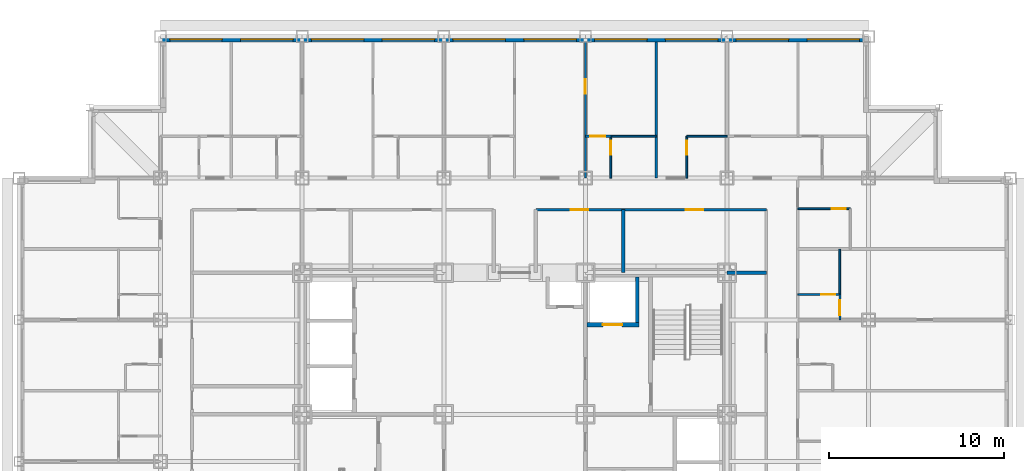
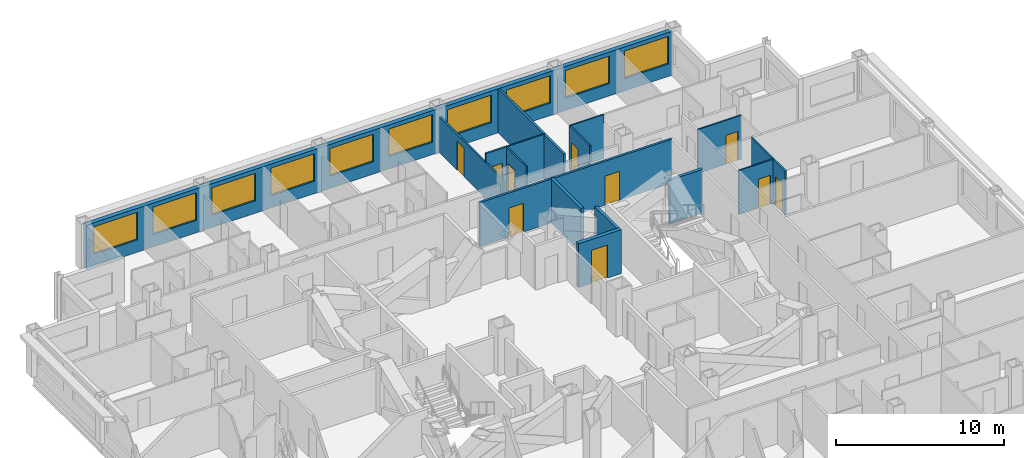
# One storey, part 11 of 14: 17 walls, 10 doors, 10 windows, 20 openings.
"""IFC4 building model written with IfcOpenShell, lengths in metres."""

from ifc_helpers import new_model, si_unit, direction, frame, frame_2d, origin, place, context, subcontext, project, spatial, rectangle, extrude, material, layer, layer_set, type_object, element, fill, save


model = new_model("IFC4")

# Units and contexts
model_context = context("Model", 3, precision=1e-05, world=origin(), true_north=direction((0.0, 1.0)))
body_context = subcontext(model_context, "Body", "Model", "MODEL_VIEW")
ifc_project = project(units=[si_unit("LENGTHUNIT", "METRE"), si_unit("AREAUNIT", "SQUARE_METRE"), si_unit("VOLUMEUNIT", "CUBIC_METRE"), si_unit("PLANEANGLEUNIT", "RADIAN"), si_unit("MASSUNIT", "GRAM", prefix="KILO")], contexts=[model_context])

# Site, building, storey
site_placement = place(None, origin())
site = spatial("IfcSite", under=ifc_project, at=site_placement, CompositionType="ELEMENT")
building_placement = place(site_placement, origin())
building = spatial("IfcBuilding", under=site, at=building_placement, Name="Kopane Lantern Tower", CompositionType="ELEMENT")
storey_placement = place(building_placement, frame((0.0, 0.0, 137.39990234375)))
storey = spatial("IfcBuildingStorey", under=building, at=storey_placement, Name="L35", CompositionType="ELEMENT", Elevation=137.39990234375)

# Wall, opening, door
ifc_material_1 = material(Name="Gypsum board on steel studs", Category="steel")
ifc_layer_1 = layer(ifc_material_1, 0.1201171875)
ifc_layer_set_1 = layer_set([ifc_layer_1], Name="APARTMENT INTERNAL WALL 120")
wall_type_1 = type_object("IfcWallType", Name="APARTMENT INTERNAL WALL 120", PredefinedType="PARTITIONING", material=ifc_layer_set_1)
wall_1_placement = place(storey_placement, frame((32.39990234375, 45.89990234375, 0.0), z_axis=(0.0, 0.0, 1.0), x_axis=(0.0, 1.0, 0.0)))
wall_1 = element("IfcWall", 1, at=wall_1_placement, inside=storey, type_object=wall_type_1, Name="Apartment Internal Wall 120 L35", PredefinedType="PARTITIONING", context=body_context, shape_type="SweptSolid", body=[
    extrude(rectangle(XDim=7.800048828125, YDim=0.1201171875, at=frame_2d((3.89990234375, 0.0))), origin(), (0.0, 0.0, 1.0), 2.577880859375),
])
opening_1_placement = place(wall_1_placement, frame((4.824951171875, 0.0, 0.0)))
opening_1 = element("IfcOpeningElement", 2, at=opening_1_placement, cuts=wall_1, Name="Opening L35-040", PredefinedType="OPENING", context=body_context, shape_type="SweptSolid", body=[
    extrude(rectangle(XDim=0.85009765625, YDim=2.10009765625, at=frame_2d((0.425048828125, 1.050048828125))), frame((0.0, 0.070068359375, 0.0), z_axis=(0.0, -1.0, 0.0), x_axis=(1.0, 0.0, 0.0)), (0.0, 0.0, 1.0), 0.14013671875),
])
ifc_material_2 = material(Name="Timber door set", Category="wood")
door_type_1 = type_object("IfcDoorType", Name="DOOR D4 850x2100", OperationType="SINGLE_SWING_LEFT", PredefinedType="DOOR", material=ifc_material_2)
door_1_placement = place(opening_1_placement, origin())
door_1 = element("IfcDoor", 3, at=door_1_placement, inside=storey, type_object=door_type_1, Name="Door L35-040", OperationType="SINGLE_SWING_RIGHT", OverallHeight=2.10009765625, OverallWidth=0.85009765625, PredefinedType="DOOR", context=body_context, shape_type="SweptSolid", body=[
    extrude(rectangle(XDim=0.85009765625, YDim=2.10009765625, at=frame_2d((0.425048828125, 1.050048828125))), frame((0.0, 0.02490234375, 0.0), z_axis=(0.0, -1.0, 0.0), x_axis=(1.0, 0.0, 0.0)), (0.0, 0.0, 1.0), 0.050048828125),
])
fill(opening_1, door_1)

wall_2_placement = place(storey_placement, frame((32.39990234375, 48.300048828125, 0.0), z_axis=(0.0, 0.0, 1.0), x_axis=(1.0, 0.0, 0.0)))
wall_2 = element("IfcWall", 4, at=wall_2_placement, inside=storey, type_object=wall_type_1, Name="Apartment Internal Wall 120 L35", PredefinedType="PARTITIONING", context=body_context, shape_type="SweptSolid", body=[
    extrude(rectangle(XDim=1.460205078125, YDim=0.1201171875, at=frame_2d((0.72998046875, 0.0))), origin(), (0.0, 0.0, 1.0), 3.190185546875),
])
opening_2_placement = place(wall_2_placement, frame((0.27490234375, 0.0, 0.0)))
opening_2 = element("IfcOpeningElement", 5, at=opening_2_placement, cuts=wall_2, Name="Opening L35-093", PredefinedType="OPENING", context=body_context, shape_type="SweptSolid", body=[
    extrude(rectangle(XDim=0.85009765625, YDim=2.10009765625, at=frame_2d((0.425048828125, 1.050048828125))), frame((0.0, 0.070068359375, 0.0), z_axis=(0.0, -1.0, 0.0), x_axis=(1.0, 0.0, 0.0)), (0.0, 0.0, 1.0), 0.14013671875),
])
door_2_placement = place(opening_2_placement, origin())
door_2 = element("IfcDoor", 6, at=door_2_placement, inside=storey, type_object=door_type_1, Name="Door L35-093", OperationType="SINGLE_SWING_LEFT", OverallHeight=2.10009765625, OverallWidth=0.85009765625, PredefinedType="DOOR", context=body_context, shape_type="SweptSolid", body=[
    extrude(rectangle(XDim=0.85009765625, YDim=2.10009765625, at=frame_2d((0.425048828125, 1.050048828125))), frame((0.0, 0.02490234375, 0.0), z_axis=(0.0, -1.0, 0.0), x_axis=(1.0, 0.0, 0.0)), (0.0, 0.0, 1.0), 0.050048828125),
])
fill(opening_2, door_2)

wall_3_placement = place(storey_placement, frame((46.949951171875, 39.260009765625, 0.0), z_axis=(0.0, 0.0, 1.0), x_axis=(0.0, -1.0, 0.0)))
wall_3 = element("IfcWall", 7, at=wall_3_placement, inside=storey, type_object=wall_type_1, Name="Apartment Internal Wall 120 L35", PredefinedType="PARTITIONING", context=body_context, shape_type="SweptSolid", body=[
    extrude(rectangle(XDim=1.4599609375, YDim=0.1201171875, at=frame_2d((0.72998046875, 0.0))), origin(), (0.0, 0.0, 1.0), 3.190185546875),
])
opening_3_placement = place(wall_3_placement, frame((0.3349609375, 0.0, 0.0)))
opening_3 = element("IfcOpeningElement", 8, at=opening_3_placement, cuts=wall_3, Name="Opening L35-097", PredefinedType="OPENING", context=body_context, shape_type="SweptSolid", body=[
    extrude(rectangle(XDim=0.85009765625, YDim=2.10009765625, at=frame_2d((0.425048828125, 1.050048828125))), frame((0.0, 0.070068359375, 0.0), z_axis=(0.0, -1.0, 0.0), x_axis=(1.0, 0.0, 0.0)), (0.0, 0.0, 1.0), 0.14013671875),
])
door_3_placement = place(opening_3_placement, origin())
door_3 = element("IfcDoor", 9, at=door_3_placement, inside=storey, type_object=door_type_1, Name="Door L35-097", OperationType="SINGLE_SWING_RIGHT", OverallHeight=2.10009765625, OverallWidth=0.85009765625, PredefinedType="DOOR", context=body_context, shape_type="SweptSolid", body=[
    extrude(rectangle(XDim=0.85009765625, YDim=2.10009765625, at=frame_2d((0.425048828125, 1.050048828125))), frame((0.0, 0.02490234375, 0.0), z_axis=(0.0, -1.0, 0.0), x_axis=(1.0, 0.0, 0.0)), (0.0, 0.0, 1.0), 0.050048828125),
])
fill(opening_3, door_3)

# Wall
ifc_material_3 = material(Name="Moisture-resistant board on steel studs", Category="steel")
ifc_layer_2 = layer(ifc_material_3, 0.10009765625)
ifc_layer_set_2 = layer_set([ifc_layer_2], Name="BATHROOM WALL 100")
wall_type_2 = type_object("IfcWallType", Name="BATHROOM WALL 100", PredefinedType="PARTITIONING", material=ifc_layer_set_2)
wall_4_placement = place(storey_placement, frame((33.85009765625, 48.300048828125, 0.0), z_axis=(0.0, 0.0, 1.0), x_axis=(1.0, 0.0, 0.0)))
element("IfcWall", 10, at=wall_4_placement, inside=storey, type_object=wall_type_2, Name="Bathroom Wall 100 L35", PredefinedType="PARTITIONING", context=body_context, shape_type="SweptSolid", body=[
    extrude(rectangle(XDim=2.599853515625, YDim=0.10009765625, at=frame_2d((1.2998046875, 0.0))), origin(), (0.0, 0.0, 1.0), 3.190185546875),
])

# Wall, opening, door
wall_5_placement = place(storey_placement, frame((33.85009765625, 45.89990234375, 0.0), z_axis=(0.0, 0.0, 1.0), x_axis=(0.0, 1.0, 0.0)))
wall_5 = element("IfcWall", 11, at=wall_5_placement, inside=storey, type_object=wall_type_2, Name="Bathroom Wall 100 L35", PredefinedType="PARTITIONING", context=body_context, shape_type="SweptSolid", body=[
    extrude(rectangle(XDim=2.400146484375, YDim=0.10009765625, at=frame_2d((1.2001953125, 0.0))), origin(), (0.0, 0.0, 1.0), 3.190185546875),
])
opening_4_placement = place(wall_5_placement, frame((1.35009765625, 0.0, 0.0)))
opening_4 = element("IfcOpeningElement", 12, at=opening_4_placement, cuts=wall_5, Name="Opening L35-039", PredefinedType="OPENING", context=body_context, shape_type="SweptSolid", body=[
    extrude(rectangle(XDim=0.800048828125, YDim=2.10009765625, at=frame_2d((0.39990234375, 1.050048828125))), frame((0.0, 0.06005859375, 0.0), z_axis=(0.0, -1.0, 0.0), x_axis=(1.0, 0.0, 0.0)), (0.0, 0.0, 1.0), 0.1201171875),
])
ifc_material_4 = material(Name="Timber door set", Category="wood")
door_type_2 = type_object("IfcDoorType", Name="DOOR D2 800x2100", OperationType="SINGLE_SWING_LEFT", PredefinedType="DOOR", material=ifc_material_4)
door_4_placement = place(opening_4_placement, origin())
door_4 = element("IfcDoor", 13, at=door_4_placement, inside=storey, type_object=door_type_2, Name="Door L35-039", OperationType="SINGLE_SWING_RIGHT", OverallHeight=2.10009765625, OverallWidth=0.800048828125, PredefinedType="DOOR", context=body_context, shape_type="SweptSolid", body=[
    extrude(rectangle(XDim=0.800048828125, YDim=2.10009765625, at=frame_2d((0.39990234375, 1.050048828125))), frame((0.0, 0.02490234375, 0.0), z_axis=(0.0, -1.0, 0.0), x_axis=(1.0, 0.0, 0.0)), (0.0, 0.0, 1.0), 0.050048828125),
])
fill(opening_4, door_4)

# Wall
wall_6_placement = place(storey_placement, frame((38.199951171875, 48.300048828125, 0.0), z_axis=(0.0, 0.0, 1.0), x_axis=(1.0, 0.0, 0.0)))
element("IfcWall", 14, at=wall_6_placement, inside=storey, type_object=wall_type_2, Name="Bathroom Wall 100 L35", PredefinedType="PARTITIONING", context=body_context, shape_type="SweptSolid", body=[
    extrude(rectangle(XDim=2.300048828125, YDim=0.10009765625, at=frame_2d((1.14990234375, 0.0))), origin(), (0.0, 0.0, 1.0), 3.190185546875),
])

# Wall, opening, door
wall_7_placement = place(storey_placement, frame((38.199951171875, 45.89990234375, 0.0), z_axis=(0.0, 0.0, 1.0), x_axis=(0.0, 1.0, 0.0)))
wall_7 = element("IfcWall", 15, at=wall_7_placement, inside=storey, type_object=wall_type_2, Name="Bathroom Wall 100 L35", PredefinedType="PARTITIONING", context=body_context, shape_type="SweptSolid", body=[
    extrude(rectangle(XDim=2.400146484375, YDim=0.10009765625, at=frame_2d((1.2001953125, 0.0))), origin(), (0.0, 0.0, 1.0), 3.190185546875),
])
opening_5_placement = place(wall_7_placement, frame((1.35009765625, 0.0, 0.0)))
opening_5 = element("IfcOpeningElement", 16, at=opening_5_placement, cuts=wall_7, Name="Opening L35-041", PredefinedType="OPENING", context=body_context, shape_type="SweptSolid", body=[
    extrude(rectangle(XDim=0.800048828125, YDim=2.10009765625, at=frame_2d((0.39990234375, 1.050048828125))), frame((0.0, 0.06005859375, 0.0), z_axis=(0.0, -1.0, 0.0), x_axis=(1.0, 0.0, 0.0)), (0.0, 0.0, 1.0), 0.1201171875),
])
door_5_placement = place(opening_5_placement, origin())
door_5 = element("IfcDoor", 17, at=door_5_placement, inside=storey, type_object=door_type_2, Name="Door L35-041", OperationType="SINGLE_SWING_LEFT", OverallHeight=2.10009765625, OverallWidth=0.800048828125, PredefinedType="DOOR", context=body_context, shape_type="SweptSolid", body=[
    extrude(rectangle(XDim=0.800048828125, YDim=2.10009765625, at=frame_2d((0.39990234375, 1.050048828125))), frame((0.0, 0.02490234375, 0.0), z_axis=(0.0, -1.0, 0.0), x_axis=(1.0, 0.0, 0.0)), (0.0, 0.0, 1.0), 0.050048828125),
])
fill(opening_5, door_5)

# Wall
wall_8_placement = place(storey_placement, frame((46.949951171875, 39.25, 0.0), z_axis=(0.0, 0.0, 1.0), x_axis=(0.0, 1.0, 0.0)))
element("IfcWall", 18, at=wall_8_placement, inside=storey, type_object=wall_type_2, Name="Bathroom Wall 100 L35", PredefinedType="PARTITIONING", context=body_context, shape_type="SweptSolid", body=[
    extrude(rectangle(XDim=2.60009765625, YDim=0.10009765625, at=frame_2d((1.300048828125, 0.0))), origin(), (0.0, 0.0, 1.0), 3.190185546875),
])

# Wall, opening, door
wall_9_placement = place(storey_placement, frame((44.550048828125, 39.25, 0.0), z_axis=(0.0, 0.0, 1.0), x_axis=(1.0, 0.0, 0.0)))
wall_9 = element("IfcWall", 19, at=wall_9_placement, inside=storey, type_object=wall_type_2, Name="Bathroom Wall 100 L35", PredefinedType="PARTITIONING", context=body_context, shape_type="SweptSolid", body=[
    extrude(rectangle(XDim=2.39990234375, YDim=0.10009765625, at=frame_2d((1.199951171875, 0.0))), origin(), (0.0, 0.0, 1.0), 3.190185546875),
])
opening_6_placement = place(wall_9_placement, frame((1.35009765625, 0.0, 0.0)))
opening_6 = element("IfcOpeningElement", 20, at=opening_6_placement, cuts=wall_9, Name="Opening L35-066", PredefinedType="OPENING", context=body_context, shape_type="SweptSolid", body=[
    extrude(rectangle(XDim=0.800048828125, YDim=2.10009765625, at=frame_2d((0.39990234375, 1.050048828125))), frame((0.0, 0.06005859375, 0.0), z_axis=(0.0, -1.0, 0.0), x_axis=(1.0, 0.0, 0.0)), (0.0, 0.0, 1.0), 0.1201171875),
])
door_6_placement = place(opening_6_placement, origin())
door_6 = element("IfcDoor", 21, at=door_6_placement, inside=storey, type_object=door_type_2, Name="Door L35-066", OperationType="SINGLE_SWING_LEFT", OverallHeight=2.10009765625, OverallWidth=0.800048828125, PredefinedType="DOOR", context=body_context, shape_type="SweptSolid", body=[
    extrude(rectangle(XDim=0.800048828125, YDim=2.10009765625, at=frame_2d((0.39990234375, 1.050048828125))), frame((0.0, 0.02490234375, 0.0), z_axis=(0.0, -1.0, 0.0), x_axis=(1.0, 0.0, 0.0)), (0.0, 0.0, 1.0), 0.050048828125),
])
fill(opening_6, door_6)

wall_10_placement = place(storey_placement, frame((44.550048828125, 44.14990234375, 0.0), z_axis=(0.0, 0.0, 1.0), x_axis=(1.0, 0.0, 0.0)))
wall_10 = element("IfcWall", 22, at=wall_10_placement, inside=storey, type_object=wall_type_2, Name="Bathroom Wall 100 L35", PredefinedType="PARTITIONING", context=body_context, shape_type="SweptSolid", body=[
    extrude(rectangle(XDim=3.0, YDim=0.10009765625, at=frame_2d((1.5, 0.0))), origin(), (0.0, 0.0, 1.0), 3.190185546875),
])
opening_7_placement = place(wall_10_placement, frame((1.949951171875, 0.0, 0.0)))
opening_7 = element("IfcOpeningElement", 23, at=opening_7_placement, cuts=wall_10, Name="Opening L35-068", PredefinedType="OPENING", context=body_context, shape_type="SweptSolid", body=[
    extrude(rectangle(XDim=0.800048828125, YDim=2.10009765625, at=frame_2d((0.39990234375, 1.050048828125))), frame((0.0, 0.06005859375, 0.0), z_axis=(0.0, -1.0, 0.0), x_axis=(1.0, 0.0, 0.0)), (0.0, 0.0, 1.0), 0.1201171875),
])
door_7_placement = place(opening_7_placement, origin())
door_7 = element("IfcDoor", 24, at=door_7_placement, inside=storey, type_object=door_type_2, Name="Door L35-068", OperationType="SINGLE_SWING_LEFT", OverallHeight=2.10009765625, OverallWidth=0.800048828125, PredefinedType="DOOR", context=body_context, shape_type="SweptSolid", body=[
    extrude(rectangle(XDim=0.800048828125, YDim=2.10009765625, at=frame_2d((0.39990234375, 1.050048828125))), frame((0.0, 0.02490234375, 0.0), z_axis=(0.0, -1.0, 0.0), x_axis=(1.0, 0.0, 0.0)), (0.0, 0.0, 1.0), 0.050048828125),
])
fill(opening_7, door_7)

ifc_material_5 = material(Name="Gypsum shaft wall EI 120", Category="gypsum")
ifc_layer_3 = layer(ifc_material_5, 0.25)
ifc_layer_set_3 = layer_set([ifc_layer_3], Name="CORE SHAFT WALL 250 EI 120")
wall_type_3 = type_object("IfcWallType", Name="CORE SHAFT WALL 250 EI 120", PredefinedType="SOLIDWALL", material=ifc_layer_set_3)
wall_11_placement = place(storey_placement, frame((32.5, 37.52490234375, 0.0), z_axis=(0.0, 0.0, 1.0), x_axis=(1.0, 0.0, 0.0)))
wall_11 = element("IfcWall", 25, at=wall_11_placement, inside=storey, type_object=wall_type_3, Name="Core shaft wall L35 YLF2", PredefinedType="SOLIDWALL", context=body_context, shape_type="SweptSolid", body=[
    extrude(rectangle(XDim=2.949951171875, YDim=0.25, at=frame_2d((1.47509765625, 0.0))), origin(), (0.0, 0.0, 1.0), 3.190185546875),
])
opening_8_placement = place(wall_11_placement, frame((0.89990234375, 0.0, 0.0)))
opening_8 = element("IfcOpeningElement", 26, at=opening_8_placement, cuts=wall_11, Name="Opening 35.LD-LF2", PredefinedType="OPENING", context=body_context, shape_type="SweptSolid", body=[
    extrude(rectangle(XDim=1.10009765625, YDim=2.39990234375, at=frame_2d((0.550048828125, 1.199951171875))), frame((0.0, 0.135009765625, 0.0), z_axis=(0.0, -1.0, 0.0), x_axis=(1.0, 0.0, 0.0)), (0.0, 0.0, 1.0), 0.27001953125),
])
ifc_material_6 = material(Name="Steel door set", Category="steel")
door_type_3 = type_object("IfcDoorType", Name="LIFT LANDING DOOR 1100x2400 FD60", OperationType="DOUBLE_DOOR_SLIDING", PredefinedType="DOOR", material=ifc_material_6)
door_8_placement = place(opening_8_placement, origin())
door_8 = element("IfcDoor", 27, at=door_8_placement, inside=storey, type_object=door_type_3, Name="Landing door LF2 L35", OperationType="DOUBLE_DOOR_SLIDING", OverallHeight=2.39990234375, OverallWidth=1.10009765625, PredefinedType="DOOR", context=body_context, shape_type="SweptSolid", body=[
    extrude(rectangle(XDim=1.10009765625, YDim=2.39990234375, at=frame_2d((0.550048828125, 1.199951171875))), frame((0.0, 0.02490234375, 0.0), z_axis=(0.0, -1.0, 0.0), x_axis=(1.0, 0.0, 0.0)), (0.0, 0.0, 1.0), 0.050048828125),
])
fill(opening_8, door_8)

# Wall, openings, doors
ifc_material_7 = material(Name="Gypsum board on steel studs", Category="steel")
ifc_layer_4 = layer(ifc_material_7, 0.14990234375)
ifc_layer_set_4 = layer_set([ifc_layer_4], Name="CORRIDOR WALL 150 EI 60")
wall_type_4 = type_object("IfcWallType", Name="CORRIDOR WALL 150 EI 60", PredefinedType="PARTITIONING", material=ifc_layer_set_4)
wall_12_placement = place(storey_placement, frame((42.75, 44.10009765625, 0.0), z_axis=(0.0, 0.0, 1.0), x_axis=(-1.0, 0.0, 0.0)))
wall_12 = element("IfcWall", 28, at=wall_12_placement, inside=storey, type_object=wall_type_4, Name="Corridor Wall 150 Ei 60 L35", PredefinedType="PARTITIONING", context=body_context, shape_type="SweptSolid", body=[
    extrude(rectangle(XDim=13.18994140625, YDim=0.14990234375, at=frame_2d((6.594970703125, 0.0))), origin(), (0.0, 0.0, 1.0), 3.190185546875),
])
opening_9_placement = place(wall_12_placement, frame((10.199951171875, 0.0, 0.0)))
opening_9 = element("IfcOpeningElement", 29, at=opening_9_placement, cuts=wall_12, Name="Opening L35-016", PredefinedType="OPENING", context=body_context, shape_type="SweptSolid", body=[
    extrude(rectangle(XDim=1.0, YDim=2.10009765625, at=frame_2d((0.5, 1.050048828125))), frame((0.0, 0.0849609375, 0.0), z_axis=(0.0, -1.0, 0.0), x_axis=(1.0, 0.0, 0.0)), (0.0, 0.0, 1.0), 0.169921875),
])
opening_10_placement = place(wall_12_placement, frame((3.60009765625, 0.0, 0.0)))
opening_10 = element("IfcOpeningElement", 30, at=opening_10_placement, cuts=wall_12, Name="Opening L35-017", PredefinedType="OPENING", context=body_context, shape_type="SweptSolid", body=[
    extrude(rectangle(XDim=1.0, YDim=2.10009765625, at=frame_2d((0.5, 1.050048828125))), frame((0.0, 0.0849609375, 0.0), z_axis=(0.0, -1.0, 0.0), x_axis=(1.0, 0.0, 0.0)), (0.0, 0.0, 1.0), 0.169921875),
])
ifc_material_8 = material(Name="Steel door set", Category="steel")
door_type_4 = type_object("IfcDoorType", Name="DOOR D5 1000x2100 FD60", OperationType="SINGLE_SWING_LEFT", PredefinedType="DOOR", material=ifc_material_8)
door_9_placement = place(opening_9_placement, origin())
door_9 = element("IfcDoor", 31, at=door_9_placement, inside=storey, type_object=door_type_4, Name="Door L35-016", OperationType="SINGLE_SWING_RIGHT", OverallHeight=2.10009765625, OverallWidth=1.0, PredefinedType="DOOR", context=body_context, shape_type="SweptSolid", body=[
    extrude(rectangle(XDim=1.0, YDim=2.10009765625, at=frame_2d((0.5, 1.050048828125))), frame((0.0, 0.02490234375, 0.0), z_axis=(0.0, -1.0, 0.0), x_axis=(1.0, 0.0, 0.0)), (0.0, 0.0, 1.0), 0.050048828125),
])
fill(opening_9, door_9)
door_10_placement = place(opening_10_placement, origin())
door_10 = element("IfcDoor", 32, at=door_10_placement, inside=storey, type_object=door_type_4, Name="Door L35-017", OperationType="SINGLE_SWING_LEFT", OverallHeight=2.10009765625, OverallWidth=1.0, PredefinedType="DOOR", context=body_context, shape_type="SweptSolid", body=[
    extrude(rectangle(XDim=1.0, YDim=2.10009765625, at=frame_2d((0.5, 1.050048828125))), frame((0.0, 0.02490234375, 0.0), z_axis=(0.0, -1.0, 0.0), x_axis=(1.0, 0.0, 0.0)), (0.0, 0.0, 1.0), 0.050048828125),
])
fill(opening_10, door_10)

# Wall
ifc_material_9 = material(Name="Gypsum board on steel studs", Category="steel")
ifc_layer_5 = layer(ifc_material_9, 0.14990234375)
ifc_layer_set_5 = layer_set([ifc_layer_5], Name="DEMISING WALL 150 EI 60")
wall_type_5 = type_object("IfcWallType", Name="DEMISING WALL 150 EI 60", PredefinedType="PARTITIONING", material=ifc_layer_set_5)
wall_13_placement = place(storey_placement, frame((36.449951171875, 45.89990234375, 0.0), z_axis=(0.0, 0.0, 1.0), x_axis=(0.0, 1.0, 0.0)))
element("IfcWall", 33, at=wall_13_placement, inside=storey, type_object=wall_type_5, Name="Demising Wall 150 Ei 60 L35", PredefinedType="PARTITIONING", context=body_context, shape_type="SweptSolid", body=[
    extrude(rectangle(XDim=7.800048828125, YDim=0.14990234375, at=frame_2d((3.89990234375, 0.0))), origin(), (0.0, 0.0, 1.0), 3.190185546875),
])

# Wall, openings, windows
ifc_material_10 = material(Name="Terracotta rainscreen on light steel framing", Category="masonry")
ifc_layer_6 = layer(ifc_material_10, 0.300048828125)
ifc_layer_set_6 = layer_set([ifc_layer_6], Name="EXTERNAL WALL EW1 300 TERRACOTTA")
wall_type_6 = type_object("IfcWallType", Name="EXTERNAL WALL EW1 300 TERRACOTTA", PredefinedType="SOLIDWALL", material=ifc_layer_set_6)
wall_14_placement = place(storey_placement, frame((48.300048828125, 53.85009765625, 0.0), z_axis=(0.0, 0.0, 1.0), x_axis=(-1.0, 0.0, 0.0)))
wall_14 = element("IfcWall", 34, at=wall_14_placement, inside=storey, type_object=wall_type_6, Name="External wall N L35", PredefinedType="SOLIDWALL", context=body_context, shape_type="SweptSolid", body=[
    extrude(rectangle(XDim=40.199951171875, YDim=0.300048828125, at=frame_2d((20.10009765625, 0.0))), origin(), (0.0, 0.0, 1.0), 3.190185546875),
])
opening_11_placement = place(wall_14_placement, frame((0.22509765625, 0.0, 0.89990234375)))
opening_11 = element("IfcOpeningElement", 35, at=opening_11_placement, cuts=wall_14, Name="Opening WR300200", PredefinedType="OPENING", context=body_context, shape_type="SweptSolid", body=[
    extrude(rectangle(XDim=3.0, YDim=2.0, at=frame_2d((1.5, 1.0))), frame((0.0, 0.159912109375, 0.0), z_axis=(0.0, -1.0, 0.0), x_axis=(1.0, 0.0, 0.0)), (0.0, 0.0, 1.0), 0.320068359375),
])
opening_12_placement = place(wall_14_placement, frame((4.27490234375, 0.0, 0.89990234375)))
opening_12 = element("IfcOpeningElement", 36, at=opening_12_placement, cuts=wall_14, Name="Opening WR300200", PredefinedType="OPENING", context=body_context, shape_type="SweptSolid", body=[
    extrude(rectangle(XDim=3.0, YDim=2.0, at=frame_2d((1.5, 1.0))), frame((0.0, 0.159912109375, 0.0), z_axis=(0.0, -1.0, 0.0), x_axis=(1.0, 0.0, 0.0)), (0.0, 0.0, 1.0), 0.320068359375),
])
opening_13_placement = place(wall_14_placement, frame((8.324951171875, 0.0, 0.89990234375)))
opening_13 = element("IfcOpeningElement", 37, at=opening_13_placement, cuts=wall_14, Name="Opening WR300200", PredefinedType="OPENING", context=body_context, shape_type="SweptSolid", body=[
    extrude(rectangle(XDim=3.0, YDim=2.0, at=frame_2d((1.5, 1.0))), frame((0.0, 0.159912109375, 0.0), z_axis=(0.0, -1.0, 0.0), x_axis=(1.0, 0.0, 0.0)), (0.0, 0.0, 1.0), 0.320068359375),
])
opening_14_placement = place(wall_14_placement, frame((12.375, 0.0, 0.89990234375)))
opening_14 = element("IfcOpeningElement", 38, at=opening_14_placement, cuts=wall_14, Name="Opening WR300200", PredefinedType="OPENING", context=body_context, shape_type="SweptSolid", body=[
    extrude(rectangle(XDim=3.0, YDim=2.0, at=frame_2d((1.5, 1.0))), frame((0.0, 0.159912109375, 0.0), z_axis=(0.0, -1.0, 0.0), x_axis=(1.0, 0.0, 0.0)), (0.0, 0.0, 1.0), 0.320068359375),
])
opening_15_placement = place(wall_14_placement, frame((16.425048828125, 0.0, 0.89990234375)))
opening_15 = element("IfcOpeningElement", 39, at=opening_15_placement, cuts=wall_14, Name="Opening WR300200", PredefinedType="OPENING", context=body_context, shape_type="SweptSolid", body=[
    extrude(rectangle(XDim=3.0, YDim=2.0, at=frame_2d((1.5, 1.0))), frame((0.0, 0.159912109375, 0.0), z_axis=(0.0, -1.0, 0.0), x_axis=(1.0, 0.0, 0.0)), (0.0, 0.0, 1.0), 0.320068359375),
])
opening_16_placement = place(wall_14_placement, frame((20.47509765625, 0.0, 0.89990234375)))
opening_16 = element("IfcOpeningElement", 40, at=opening_16_placement, cuts=wall_14, Name="Opening WR300200", PredefinedType="OPENING", context=body_context, shape_type="SweptSolid", body=[
    extrude(rectangle(XDim=3.0, YDim=2.0, at=frame_2d((1.5, 1.0))), frame((0.0, 0.159912109375, 0.0), z_axis=(0.0, -1.0, 0.0), x_axis=(1.0, 0.0, 0.0)), (0.0, 0.0, 1.0), 0.320068359375),
])
opening_17_placement = place(wall_14_placement, frame((24.52490234375, 0.0, 0.89990234375)))
opening_17 = element("IfcOpeningElement", 41, at=opening_17_placement, cuts=wall_14, Name="Opening WR300200", PredefinedType="OPENING", context=body_context, shape_type="SweptSolid", body=[
    extrude(rectangle(XDim=3.0, YDim=2.0, at=frame_2d((1.5, 1.0))), frame((0.0, 0.159912109375, 0.0), z_axis=(0.0, -1.0, 0.0), x_axis=(1.0, 0.0, 0.0)), (0.0, 0.0, 1.0), 0.320068359375),
])
opening_18_placement = place(wall_14_placement, frame((28.574951171875, 0.0, 0.89990234375)))
opening_18 = element("IfcOpeningElement", 42, at=opening_18_placement, cuts=wall_14, Name="Opening WR300200", PredefinedType="OPENING", context=body_context, shape_type="SweptSolid", body=[
    extrude(rectangle(XDim=3.0, YDim=2.0, at=frame_2d((1.5, 1.0))), frame((0.0, 0.159912109375, 0.0), z_axis=(0.0, -1.0, 0.0), x_axis=(1.0, 0.0, 0.0)), (0.0, 0.0, 1.0), 0.320068359375),
])
opening_19_placement = place(wall_14_placement, frame((32.625, 0.0, 0.89990234375)))
opening_19 = element("IfcOpeningElement", 43, at=opening_19_placement, cuts=wall_14, Name="Opening WR300200", PredefinedType="OPENING", context=body_context, shape_type="SweptSolid", body=[
    extrude(rectangle(XDim=3.0, YDim=2.0, at=frame_2d((1.5, 1.0))), frame((0.0, 0.159912109375, 0.0), z_axis=(0.0, -1.0, 0.0), x_axis=(1.0, 0.0, 0.0)), (0.0, 0.0, 1.0), 0.320068359375),
])
opening_20_placement = place(wall_14_placement, frame((36.675048828125, 0.0, 0.89990234375)))
opening_20 = element("IfcOpeningElement", 44, at=opening_20_placement, cuts=wall_14, Name="Opening WR300200", PredefinedType="OPENING", context=body_context, shape_type="SweptSolid", body=[
    extrude(rectangle(XDim=3.0, YDim=2.0, at=frame_2d((1.5, 1.0))), frame((0.0, 0.159912109375, 0.0), z_axis=(0.0, -1.0, 0.0), x_axis=(1.0, 0.0, 0.0)), (0.0, 0.0, 1.0), 0.320068359375),
])
ifc_material_11 = material(Name="Aluminium and clear glass", Category="aluminium")
window_type = type_object("IfcWindowType", Name="RIBBON WINDOW WR300200 3000x2000", PartitioningType="SINGLE_PANEL", PredefinedType="WINDOW", material=ifc_material_11)
window_1_placement = place(opening_11_placement, origin())
window_1 = element("IfcWindow", 45, at=window_1_placement, inside=storey, type_object=window_type, Name="Window N L35", OverallHeight=2.0, OverallWidth=3.0, PartitioningType="SINGLE_PANEL", PredefinedType="WINDOW", context=body_context, shape_type="SweptSolid", body=[
    extrude(rectangle(XDim=3.0, YDim=2.0, at=frame_2d((1.5, 1.0))), frame((0.0, 0.030029296875, 0.0), z_axis=(0.0, -1.0, 0.0), x_axis=(1.0, 0.0, 0.0)), (0.0, 0.0, 1.0), 0.06005859375),
])
fill(opening_11, window_1)
window_2_placement = place(opening_12_placement, origin())
window_2 = element("IfcWindow", 46, at=window_2_placement, inside=storey, type_object=window_type, Name="Window N L35", OverallHeight=2.0, OverallWidth=3.0, PartitioningType="SINGLE_PANEL", PredefinedType="WINDOW", context=body_context, shape_type="SweptSolid", body=[
    extrude(rectangle(XDim=3.0, YDim=2.0, at=frame_2d((1.5, 1.0))), frame((0.0, 0.030029296875, 0.0), z_axis=(0.0, -1.0, 0.0), x_axis=(1.0, 0.0, 0.0)), (0.0, 0.0, 1.0), 0.06005859375),
])
fill(opening_12, window_2)
window_3_placement = place(opening_13_placement, origin())
window_3 = element("IfcWindow", 47, at=window_3_placement, inside=storey, type_object=window_type, Name="Window N L35", OverallHeight=2.0, OverallWidth=3.0, PartitioningType="SINGLE_PANEL", PredefinedType="WINDOW", context=body_context, shape_type="SweptSolid", body=[
    extrude(rectangle(XDim=3.0, YDim=2.0, at=frame_2d((1.5, 1.0))), frame((0.0, 0.030029296875, 0.0), z_axis=(0.0, -1.0, 0.0), x_axis=(1.0, 0.0, 0.0)), (0.0, 0.0, 1.0), 0.06005859375),
])
fill(opening_13, window_3)
window_4_placement = place(opening_14_placement, origin())
window_4 = element("IfcWindow", 48, at=window_4_placement, inside=storey, type_object=window_type, Name="Window N L35", OverallHeight=2.0, OverallWidth=3.0, PartitioningType="SINGLE_PANEL", PredefinedType="WINDOW", context=body_context, shape_type="SweptSolid", body=[
    extrude(rectangle(XDim=3.0, YDim=2.0, at=frame_2d((1.5, 1.0))), frame((0.0, 0.030029296875, 0.0), z_axis=(0.0, -1.0, 0.0), x_axis=(1.0, 0.0, 0.0)), (0.0, 0.0, 1.0), 0.06005859375),
])
fill(opening_14, window_4)
window_5_placement = place(opening_15_placement, origin())
window_5 = element("IfcWindow", 49, at=window_5_placement, inside=storey, type_object=window_type, Name="Window N L35", OverallHeight=2.0, OverallWidth=3.0, PartitioningType="SINGLE_PANEL", PredefinedType="WINDOW", context=body_context, shape_type="SweptSolid", body=[
    extrude(rectangle(XDim=3.0, YDim=2.0, at=frame_2d((1.5, 1.0))), frame((0.0, 0.030029296875, 0.0), z_axis=(0.0, -1.0, 0.0), x_axis=(1.0, 0.0, 0.0)), (0.0, 0.0, 1.0), 0.06005859375),
])
fill(opening_15, window_5)
window_6_placement = place(opening_16_placement, origin())
window_6 = element("IfcWindow", 50, at=window_6_placement, inside=storey, type_object=window_type, Name="Window N L35", OverallHeight=2.0, OverallWidth=3.0, PartitioningType="SINGLE_PANEL", PredefinedType="WINDOW", context=body_context, shape_type="SweptSolid", body=[
    extrude(rectangle(XDim=3.0, YDim=2.0, at=frame_2d((1.5, 1.0))), frame((0.0, 0.030029296875, 0.0), z_axis=(0.0, -1.0, 0.0), x_axis=(1.0, 0.0, 0.0)), (0.0, 0.0, 1.0), 0.06005859375),
])
fill(opening_16, window_6)
window_7_placement = place(opening_17_placement, origin())
window_7 = element("IfcWindow", 51, at=window_7_placement, inside=storey, type_object=window_type, Name="Window N L35", OverallHeight=2.0, OverallWidth=3.0, PartitioningType="SINGLE_PANEL", PredefinedType="WINDOW", context=body_context, shape_type="SweptSolid", body=[
    extrude(rectangle(XDim=3.0, YDim=2.0, at=frame_2d((1.5, 1.0))), frame((0.0, 0.030029296875, 0.0), z_axis=(0.0, -1.0, 0.0), x_axis=(1.0, 0.0, 0.0)), (0.0, 0.0, 1.0), 0.06005859375),
])
fill(opening_17, window_7)
window_8_placement = place(opening_18_placement, origin())
window_8 = element("IfcWindow", 52, at=window_8_placement, inside=storey, type_object=window_type, Name="Window N L35", OverallHeight=2.0, OverallWidth=3.0, PartitioningType="SINGLE_PANEL", PredefinedType="WINDOW", context=body_context, shape_type="SweptSolid", body=[
    extrude(rectangle(XDim=3.0, YDim=2.0, at=frame_2d((1.5, 1.0))), frame((0.0, 0.030029296875, 0.0), z_axis=(0.0, -1.0, 0.0), x_axis=(1.0, 0.0, 0.0)), (0.0, 0.0, 1.0), 0.06005859375),
])
fill(opening_18, window_8)
window_9_placement = place(opening_19_placement, origin())
window_9 = element("IfcWindow", 53, at=window_9_placement, inside=storey, type_object=window_type, Name="Window N L35", OverallHeight=2.0, OverallWidth=3.0, PartitioningType="SINGLE_PANEL", PredefinedType="WINDOW", context=body_context, shape_type="SweptSolid", body=[
    extrude(rectangle(XDim=3.0, YDim=2.0, at=frame_2d((1.5, 1.0))), frame((0.0, 0.030029296875, 0.0), z_axis=(0.0, -1.0, 0.0), x_axis=(1.0, 0.0, 0.0)), (0.0, 0.0, 1.0), 0.06005859375),
])
fill(opening_19, window_9)
window_10_placement = place(opening_20_placement, origin())
window_10 = element("IfcWindow", 54, at=window_10_placement, inside=storey, type_object=window_type, Name="Window N L35", OverallHeight=2.0, OverallWidth=3.0, PartitioningType="SINGLE_PANEL", PredefinedType="WINDOW", context=body_context, shape_type="SweptSolid", body=[
    extrude(rectangle(XDim=3.0, YDim=2.0, at=frame_2d((1.5, 1.0))), frame((0.0, 0.030029296875, 0.0), z_axis=(0.0, -1.0, 0.0), x_axis=(1.0, 0.0, 0.0)), (0.0, 0.0, 1.0), 0.06005859375),
])
fill(opening_20, window_10)

# Walls
ifc_material_12 = material(Name="Concrete masonry", Category="masonry")
ifc_layer_7 = layer(ifc_material_12, 0.199951171875)
ifc_layer_set_7 = layer_set([ifc_layer_7], Name="PLANT ROOM WALL 200 EI 120")
wall_type_7 = type_object("IfcWallType", Name="PLANT ROOM WALL 200 EI 120", PredefinedType="SOLIDWALL", material=ifc_layer_set_7)
wall_15_placement = place(storey_placement, frame((34.550048828125, 44.10009765625, 0.0), z_axis=(0.0, 0.0, 1.0), x_axis=(0.0, -1.0, 0.0)))
element("IfcWall", 55, at=wall_15_placement, inside=storey, type_object=wall_type_7, Name="Plant Room Wall 200 Ei 120 L35", PredefinedType="SOLIDWALL", context=body_context, shape_type="SweptSolid", body=[
    extrude(rectangle(XDim=3.60009765625, YDim=0.199951171875, at=frame_2d((1.800048828125, 0.0))), origin(), (0.0, 0.0, 1.0), 3.190185546875),
])
wall_16_placement = place(storey_placement, frame((40.5, 40.5, 0.0), z_axis=(0.0, 0.0, 1.0), x_axis=(1.0, 0.0, 0.0)))
element("IfcWall", 56, at=wall_16_placement, inside=storey, type_object=wall_type_7, Name="Plant Room Wall 200 Ei 120 L35", PredefinedType="SOLIDWALL", context=body_context, shape_type="SweptSolid", body=[
    extrude(rectangle(XDim=2.25, YDim=0.199951171875, at=frame_2d((1.125, 0.0))), origin(), (0.0, 0.0, 1.0), 3.190185546875),
])
ifc_material_13 = material(Name="Gypsum shaft wall EI 120", Category="gypsum")
ifc_layer_8 = layer(ifc_material_13, 0.199951171875)
ifc_layer_set_8 = layer_set([ifc_layer_8], Name="SHAFT WALL 200 EI 120")
wall_type_8 = type_object("IfcWallType", Name="SHAFT WALL 200 EI 120", PredefinedType="SOLIDWALL", material=ifc_layer_set_8)
wall_17_placement = place(storey_placement, frame((35.35009765625, 37.64990234375, 0.0), z_axis=(0.0, 0.0, 1.0), x_axis=(0.0, 1.0, 0.0)))
element("IfcWall", 57, at=wall_17_placement, inside=storey, type_object=wall_type_8, Name="Core shaft wall L35 XLF2", PredefinedType="SOLIDWALL", context=body_context, shape_type="SweptSolid", body=[
    extrude(rectangle(XDim=2.60009765625, YDim=0.199951171875, at=frame_2d((1.300048828125, 0.0))), origin(), (0.0, 0.0, 1.0), 3.190185546875),
])

save(model, "model.ifc")
